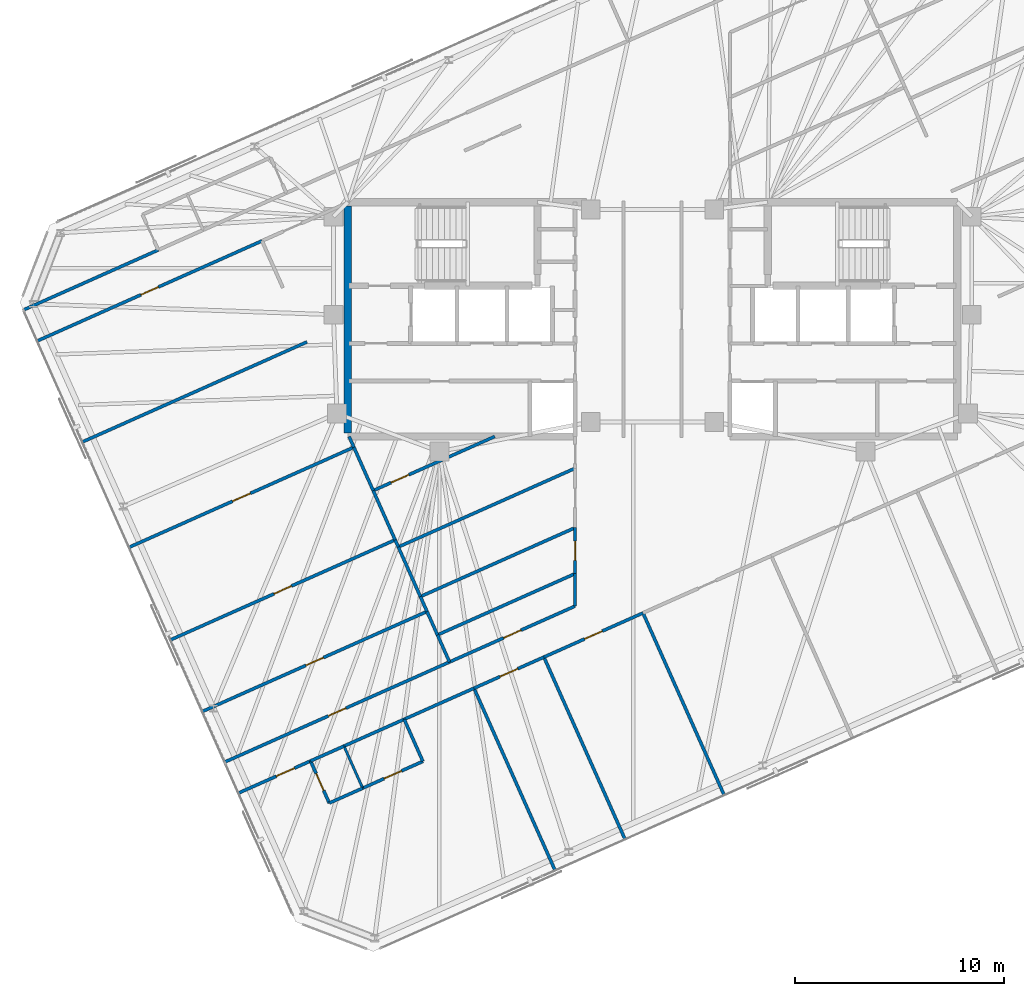
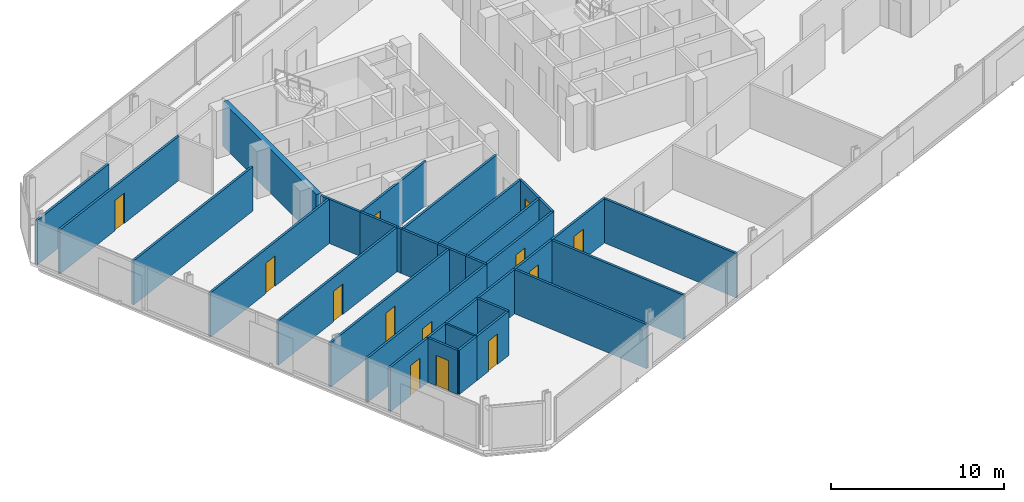
# One storey, part 13 of 19: 37 walls, 13 doors, 13 openings.
"""IFC4 building model written with IfcOpenShell, lengths in metres."""

import ifcopenshell
import ifcopenshell.guid

model = None  # the IFC model being written
_history = None  # IfcOwnerHistory: only IFC2X3 demands one
_inside = {}  # id of a spatial element -> (the spatial element, [elements in it])
_under = {}  # id of a project, library or spatial element -> (it, [spatial elements below it])
_declared = {}  # id of a project -> (the project, [libraries it declares])
_typed = {}  # id of a type object -> (the type object, [elements of that type])
_made_of = {}  # id of a material, layer set ... -> (it, [elements and type objects made of it])


def new_model(schema):
    """Start an empty IFC model of exactly this schema.

    Asked for "IFC4X3", IfcOpenShell would pick the latest addendum, in which some entities
    have other attributes; the version numbers below select the first issue.
    IFC2X3 requires an IfcOwnerHistory on every rooted entity: one is made here for all.
    """
    global model, _history
    if schema == "IFC4X3":
        model = ifcopenshell.file(schema_version=(4, 3, 0, 0))
    else:
        model = ifcopenshell.file(schema=schema)
    _inside.clear()
    _under.clear()
    _declared.clear()
    _typed.clear()
    _made_of.clear()
    _history = None
    if model.schema == "IFC2X3":
        org = make("IfcOrganization", Name="unknown")
        user = make(
            "IfcPersonAndOrganization",
            ThePerson=make("IfcPerson", FamilyName="unknown"),
            TheOrganization=org,
        )
        app = make(
            "IfcApplication",
            ApplicationDeveloper=org,
            Version="unknown",
            ApplicationFullName="unknown",
            ApplicationIdentifier="unknown",
        )
        _history = make(
            "IfcOwnerHistory",
            OwningUser=user,
            OwningApplication=app,
            ChangeAction="ADDED",
            CreationDate=0,
        )
    return model


def make(cls, **values):
    """One entity of the class cls with the attributes given. An attribute that is None is left unset."""
    return model.create_entity(
        cls, **{name: value for name, value in values.items() if value is not None}
    )


def rooted(cls, **values):
    """An entity with a GlobalId (a new one), such as an element, a storey or a relation."""
    return make(cls, GlobalId=ifcopenshell.guid.new(), OwnerHistory=_history, **values)


def si_unit(unit_type, name, prefix=None):
    """IfcSIUnit, for example si_unit("LENGTHUNIT", "METRE", prefix="MILLI")."""
    return make("IfcSIUnit", UnitType=unit_type, Prefix=prefix, Name=name)


def assignment(units):
    """IfcUnitAssignment: the units of a project."""
    return None if units is None else make("IfcUnitAssignment", Units=units)


def point(xyz):
    """IfcCartesianPoint."""
    return None if xyz is None else make("IfcCartesianPoint", Coordinates=xyz)


def direction(xyz):
    """IfcDirection."""
    return None if xyz is None else make("IfcDirection", DirectionRatios=xyz)


def frame(location, z_axis=None, x_axis=None):
    """IfcAxis2Placement3D, a coordinate frame: its origin and axes. An axis left out is left unset."""
    return make(
        "IfcAxis2Placement3D",
        Location=point(location),
        Axis=direction(z_axis),
        RefDirection=direction(x_axis),
    )


def frame_2d(location, x_axis=None):
    """IfcAxis2Placement2D, a coordinate frame in the plane: its origin and x axis."""
    return make(
        "IfcAxis2Placement2D", Location=point(location), RefDirection=direction(x_axis)
    )


def origin():
    """The frame at (0, 0, 0) with its axes left unset."""
    return frame((0.0, 0.0, 0.0))


def place(relative_to, where):
    """IfcLocalPlacement: puts the frame where relative to a parent placement (None: the world)."""
    return make(
        "IfcLocalPlacement", PlacementRelTo=relative_to, RelativePlacement=where
    )


def context(
    kind, dimensions, precision=None, world=None, true_north=None, identifier=None
):
    """IfcGeometricRepresentationContext, for example the 3D "Model" context."""
    return make(
        "IfcGeometricRepresentationContext",
        ContextIdentifier=identifier,
        ContextType=kind,
        CoordinateSpaceDimension=dimensions,
        Precision=precision,
        WorldCoordinateSystem=world,
        TrueNorth=true_north,
    )


def subcontext(parent, identifier, kind, view, scale=None):
    """IfcGeometricRepresentationSubContext, for example "Body" below "Model"."""
    return make(
        "IfcGeometricRepresentationSubContext",
        ContextIdentifier=identifier,
        ContextType=kind,
        ParentContext=parent,
        TargetScale=scale,
        TargetView=view,
    )


def project(units=None, contexts=None):
    """IfcProject with its units and contexts."""
    return rooted(
        "IfcProject",
        Name="project",
        RepresentationContexts=contexts,
        UnitsInContext=assignment(units),
    )


def spatial(cls, under=None, at=None, **own):
    """A site, building, storey or space (cls), placed at a placement, below another one or the project."""
    s = rooted(cls, ObjectPlacement=at, **own)
    if under is not None:
        _under.setdefault(under.id(), (under, []))[1].append(s)
    return s


def profile(cls, at=None, kind="AREA", **sizes):
    """A parametric profile (cls). Its sizes go by their IFC names, for example OverallWidth=200.0."""
    return make(cls, ProfileType=kind, Position=at, **sizes)


def rectangle(**sizes):
    """IfcRectangleProfileDef."""
    return profile("IfcRectangleProfileDef", **sizes)


def extrude(swept, where, along, depth):
    """IfcExtrudedAreaSolid: the profile swept, set in the frame where, extruded along a direction by depth."""
    return make(
        "IfcExtrudedAreaSolid",
        SweptArea=swept,
        Position=where,
        ExtrudedDirection=direction(along),
        Depth=depth,
    )


def shape(context_of_items, identifier, shape_type, items):
    """IfcShapeRepresentation: the items that make up one representation, for example the "Body"."""
    return make(
        "IfcShapeRepresentation",
        ContextOfItems=context_of_items,
        RepresentationIdentifier=identifier,
        RepresentationType=shape_type,
        Items=items,
    )


def material(Name=None, Category=None):
    """IfcMaterial."""
    return make("IfcMaterial", Name=Name, Category=Category)


def layer(
    of_material, thickness, ventilated=None, Name=None, Category=None, Priority=None
):
    """IfcMaterialLayer: one layer of a wall or slab, of a material (None: an air gap)."""
    return make(
        "IfcMaterialLayer",
        Material=of_material,
        LayerThickness=thickness,
        IsVentilated=ventilated,
        Name=Name,
        Category=Category,
        Priority=Priority,
    )


def layer_set(layers, Name=None):
    """IfcMaterialLayerSet."""
    return make("IfcMaterialLayerSet", MaterialLayers=layers, LayerSetName=Name)


def made_of(thing, what):
    """Note that an element or type object is made of a material, layer set ...; save() writes the relation."""
    if what is not None:
        _made_of.setdefault(what.id(), (what, []))[1].append(thing)
    return thing


def type_object(cls, material=None, **own):
    """A type object (cls), such as IfcWallType, which elements share."""
    return made_of(rooted(cls, **own), material)


def element(
    cls,
    number,
    at=None,
    inside=None,
    cuts=None,
    type_object=None,
    material=None,
    context=None,
    identifier="Body",
    shape_type=None,
    held_by="IfcProductDefinitionShape",
    body=None,
    shapes=None,
    **own,
):
    """One element of the class cls, such as IfcWall. Its Tag is "e" and its number.

    at: its placement. inside: the storey or other place that contains it. cuts: it is an
    opening in that element (IfcRelVoidsElement). A single representation is given by context,
    identifier, shape_type and body (its items); several are given by shapes. held_by: the class
    of the entity that holds the representations. save() writes the other relations.
    """
    e = rooted(cls, Tag="e%d" % number, ObjectPlacement=at, **own)
    if body is not None:
        shapes = [shape(context, identifier, shape_type, body)]
    if shapes is not None:
        e.Representation = make(held_by, Representations=shapes)
    if inside is not None:
        _inside.setdefault(inside.id(), (inside, []))[1].append(e)
    if cuts is not None:
        rooted(
            "IfcRelVoidsElement", RelatingBuildingElement=cuts, RelatedOpeningElement=e
        )
    if type_object is not None:
        _typed.setdefault(type_object.id(), (type_object, []))[1].append(e)
    return made_of(e, material)


def fill(opening, filler):
    """IfcRelFillsElement: the door or window that sits in an opening."""
    return rooted(
        "IfcRelFillsElement",
        RelatingOpeningElement=opening,
        RelatedBuildingElement=filler,
    )


def aggregate(whole, parts):
    """IfcRelAggregates: a whole, such as a stair, and the parts it consists of."""
    return rooted("IfcRelAggregates", RelatingObject=whole, RelatedObjects=parts)


def save(model, path):
    """Write the relations noted so far, then the file.

    IfcRelAggregates (storeys below a building ...), IfcRelContainedInSpatialStructure (elements
    in a storey), IfcRelDefinesByType, IfcRelAssociatesMaterial and IfcRelDeclares: one each for
    every whole, place, type object, material and project.
    """
    for whole, parts in _under.values():
        aggregate(whole, parts)
    for where, things in _inside.values():
        rooted(
            "IfcRelContainedInSpatialStructure",
            RelatedElements=things,
            RelatingStructure=where,
        )
    for kind, things in _typed.values():
        rooted("IfcRelDefinesByType", RelatedObjects=things, RelatingType=kind)
    for what, things in _made_of.values():
        rooted("IfcRelAssociatesMaterial", RelatedObjects=things, RelatingMaterial=what)
    for by, libraries in _declared.values():
        rooted("IfcRelDeclares", RelatingContext=by, RelatedDefinitions=libraries)
    model.write(path)


model = new_model("IFC4")

# Units and contexts
model_context = context("Model", 3, precision=1e-05, world=origin(), true_north=direction((0.0, 1.0)))
body_context = subcontext(model_context, "Body", "Model", "MODEL_VIEW")
ifc_project = project(units=[si_unit("LENGTHUNIT", "METRE"), si_unit("AREAUNIT", "SQUARE_METRE"), si_unit("VOLUMEUNIT", "CUBIC_METRE"), si_unit("PLANEANGLEUNIT", "RADIAN"), si_unit("MASSUNIT", "GRAM", prefix="KILO")], contexts=[model_context])

# Site, building, storey
site_placement = place(None, origin())
site = spatial("IfcSite", under=ifc_project, at=site_placement, CompositionType="ELEMENT")
building_placement = place(site_placement, origin())
building = spatial("IfcBuilding", under=site, at=building_placement, Name="Menara Jurai Vektor", CompositionType="ELEMENT")
storey_placement = place(building_placement, frame((0.0, 0.0, 288.60009765625)))
storey = spatial("IfcBuildingStorey", under=building, at=storey_placement, Name="L77", CompositionType="ELEMENT", Elevation=288.60009765625)

# Wall
ifc_material_1 = material(Name="Gypsum Fireboard Partition", Category="gypsum")
ifc_layer_1 = layer(ifc_material_1, 0.14990234375)
ifc_layer_set_1 = layer_set([ifc_layer_1], Name="Gypsum Fireboard Partition")
wall_type_1 = type_object("IfcWallType", Name="INT-WALL-CORR-150", PredefinedType="PARTITIONING", material=ifc_layer_set_1)
wall_1_placement = place(storey_placement, frame((-30.063232421875, 0.44384765625, 0.0), z_axis=(0.0, 0.0, 1.0), x_axis=(0.91354584652, 0.406735769642, 0.0)))
element("IfcWall", 1, at=wall_1_placement, inside=storey, type_object=wall_type_1, Name="Interior Wall IW-150 L77", PredefinedType="PARTITIONING", context=body_context, shape_type="SweptSolid", body=[
    extrude(rectangle(XDim=7.052978515625, YDim=0.14990234375, at=frame_2d((3.5263671875, 0.0))), origin(), (0.0, 0.0, 1.0), 3.125),
])

# Wall, opening, door
wall_2_placement = place(storey_placement, frame((-19.786376953125, -22.638671875, 0.0), z_axis=(0.0, 0.0, 1.0), x_axis=(0.913541633228, 0.406745232743, 0.0)))
wall_2 = element("IfcWall", 2, at=wall_2_placement, inside=storey, type_object=wall_type_1, Name="Interior Wall IW-150 L77", PredefinedType="PARTITIONING", context=body_context, shape_type="SweptSolid", body=[
    extrude(rectangle(XDim=3.77001953125, YDim=0.14990234375, at=frame_2d((1.885009765625, 0.0))), origin(), (0.0, 0.0, 1.0), 3.125),
])
opening_1_placement = place(wall_2_placement, frame((1.9755859375, 0.0, 0.0)))
opening_1 = element("IfcOpeningElement", 3, at=opening_1_placement, cuts=wall_2, Name="Opening D77-16", PredefinedType="OPENING", context=body_context, shape_type="SweptSolid", body=[
    extrude(rectangle(XDim=0.949951171875, YDim=2.14990234375, at=frame_2d((0.47509765625, 1.074951171875))), frame((0.0, 0.0849609375, 0.0), z_axis=(0.0, -1.0, 0.0), x_axis=(1.0, 0.0, 0.0)), (0.0, 0.0, 1.0), 0.169921875),
])
ifc_material_2 = material(Name="Solid Core Timber Fire Door", Category="wood")
door_type_1 = type_object("IfcDoorType", Name="DR-ENTRY-950", OperationType="NOTDEFINED", PredefinedType="DOOR", material=ifc_material_2)
door_1_placement = place(opening_1_placement, origin())
door_1 = element("IfcDoor", 4, at=door_1_placement, inside=storey, type_object=door_type_1, Name="Interior Door D77-16", OperationType="SINGLE_SWING_RIGHT", OverallHeight=2.14990234375, OverallWidth=0.949951171875, PredefinedType="DOOR", context=body_context, shape_type="SweptSolid", body=[
    extrude(rectangle(XDim=0.949951171875, YDim=2.14990234375, at=frame_2d((0.47509765625, 1.074951171875))), frame((0.0, 0.02490234375, 0.0), z_axis=(0.0, -1.0, 0.0), x_axis=(1.0, 0.0, 0.0)), (0.0, 0.0, 1.0), 0.050048828125),
])
fill(opening_1, door_1)

# Walls
wall_3_placement = place(storey_placement, frame((-11.86767578125, -19.113037109375, 0.0), z_axis=(0.0, 0.0, 1.0), x_axis=(0.913543802, 0.40674036169, 0.0)))
element("IfcWall", 5, at=wall_3_placement, inside=storey, type_object=wall_type_1, Name="Interior Wall IW-150 L77", PredefinedType="PARTITIONING", context=body_context, shape_type="SweptSolid", body=[
    extrude(rectangle(XDim=3.650146484375, YDim=0.14990234375, at=frame_2d((1.8251953125, 0.0))), origin(), (0.0, 0.0, 1.0), 3.125),
])
wall_4_placement = place(storey_placement, frame((-16.34228515625, -21.105224609375, 0.0), z_axis=(0.0, 0.0, 1.0), x_axis=(0.9135579554, 0.406708571492, 0.0)))
element("IfcWall", 6, at=wall_4_placement, inside=storey, type_object=wall_type_1, Name="Interior Wall IW-150 L77", PredefinedType="PARTITIONING", context=body_context, shape_type="SweptSolid", body=[
    extrude(rectangle(XDim=1.748046875, YDim=0.14990234375, at=frame_2d((0.8740234375, 0.0))), origin(), (0.0, 0.0, 1.0), 3.125),
])
wall_5_placement = place(storey_placement, frame((-14.745361328125, -20.394287109375, 0.0), z_axis=(0.0, 0.0, 1.0), x_axis=(0.913542880558, 0.406742431252, 0.0)))
element("IfcWall", 7, at=wall_5_placement, inside=storey, type_object=wall_type_1, Name="Interior Wall IW-150 L77", PredefinedType="PARTITIONING", context=body_context, shape_type="SweptSolid", body=[
    extrude(rectangle(XDim=3.150146484375, YDim=0.14990234375, at=frame_2d((1.5751953125, 0.0))), origin(), (0.0, 0.0, 1.0), 3.125),
])

# Wall, opening, door
wall_6_placement = place(storey_placement, frame((-20.4453125, -21.15869140625, 0.0), z_axis=(0.0, 0.0, 1.0), x_axis=(0.913547681516, 0.406731648137, 0.0)))
wall_6 = element("IfcWall", 8, at=wall_6_placement, inside=storey, type_object=wall_type_1, Name="Interior Wall IW-150 L77", PredefinedType="PARTITIONING", context=body_context, shape_type="SweptSolid", body=[
    extrude(rectangle(XDim=11.760009765625, YDim=0.14990234375, at=frame_2d((5.8798828125, 0.0))), origin(), (0.0, 0.0, 1.0), 3.125),
])
opening_2_placement = place(wall_6_placement, frame((5.419921875, 0.0, 0.0)))
opening_2 = element("IfcOpeningElement", 9, at=opening_2_placement, cuts=wall_6, Name="Opening D77-22", PredefinedType="OPENING", context=body_context, shape_type="SweptSolid", body=[
    extrude(rectangle(XDim=0.919921875, YDim=2.14990234375, at=frame_2d((0.4599609375, 1.074951171875))), frame((0.0, 0.0849609375, 0.0), z_axis=(0.0, -1.0, 0.0), x_axis=(1.0, 0.0, 0.0)), (0.0, 0.0, 1.0), 0.169921875),
])
door_2_placement = place(opening_2_placement, origin())
door_2 = element("IfcDoor", 10, at=door_2_placement, inside=storey, type_object=door_type_1, Name="Interior Door D77-22", OperationType="SINGLE_SWING_RIGHT", OverallHeight=2.14990234375, OverallWidth=0.919921875, PredefinedType="DOOR", context=body_context, shape_type="SweptSolid", body=[
    extrude(rectangle(XDim=0.919921875, YDim=2.14990234375, at=frame_2d((0.4599609375, 1.074951171875))), frame((0.0, 0.02490234375, 0.0), z_axis=(0.0, -1.0, 0.0), x_axis=(1.0, 0.0, 0.0)), (0.0, 0.0, 1.0), 0.050048828125),
])
fill(opening_2, door_2)

wall_7_placement = place(storey_placement, frame((-29.404296875, -1.0361328125, 0.0), z_axis=(0.0, 0.0, 1.0), x_axis=(0.913544247064, 0.406739362069, 0.0)))
wall_7 = element("IfcWall", 11, at=wall_7_placement, inside=storey, type_object=wall_type_1, Name="Interior Wall IW-150 L77", PredefinedType="PARTITIONING", context=body_context, shape_type="SweptSolid", body=[
    extrude(rectangle(XDim=11.759765625, YDim=0.14990234375, at=frame_2d((5.8798828125, 0.0))), origin(), (0.0, 0.0, 1.0), 3.125),
])
opening_3_placement = place(wall_7_placement, frame((5.419921875, 0.0, 0.0)))
opening_3 = element("IfcOpeningElement", 12, at=opening_3_placement, cuts=wall_7, Name="Opening D77-26", PredefinedType="OPENING", context=body_context, shape_type="SweptSolid", body=[
    extrude(rectangle(XDim=0.919921875, YDim=2.14990234375, at=frame_2d((0.4599609375, 1.074951171875))), frame((0.0, 0.0849609375, 0.0), z_axis=(0.0, -1.0, 0.0), x_axis=(1.0, 0.0, 0.0)), (0.0, 0.0, 1.0), 0.169921875),
])
door_3_placement = place(opening_3_placement, origin())
door_3 = element("IfcDoor", 13, at=door_3_placement, inside=storey, type_object=door_type_1, Name="Interior Door D77-26", OperationType="SINGLE_SWING_RIGHT", OverallHeight=2.14990234375, OverallWidth=0.919921875, PredefinedType="DOOR", context=body_context, shape_type="SweptSolid", body=[
    extrude(rectangle(XDim=0.919921875, YDim=2.14990234375, at=frame_2d((0.4599609375, 1.074951171875))), frame((0.0, 0.02490234375, 0.0), z_axis=(0.0, -1.0, 0.0), x_axis=(1.0, 0.0, 0.0)), (0.0, 0.0, 1.0), 0.050048828125),
])
fill(opening_3, door_3)

wall_8_placement = place(storey_placement, frame((-8.533203125, -17.62841796875, 0.0), z_axis=(0.0, 0.0, 1.0), x_axis=(0.913560976273, 0.406701785873, 0.0)))
wall_8 = element("IfcWall", 14, at=wall_8_placement, inside=storey, type_object=wall_type_1, Name="Interior Wall IW-150 L77", PredefinedType="PARTITIONING", context=body_context, shape_type="SweptSolid", body=[
    extrude(rectangle(XDim=3.65869140625, YDim=0.14990234375, at=frame_2d((1.829345703125, 0.0))), origin(), (0.0, 0.0, 1.0), 3.125),
])
opening_4_placement = place(wall_8_placement, frame((1.369384765625, 0.0, 0.0)))
opening_4 = element("IfcOpeningElement", 15, at=opening_4_placement, cuts=wall_8, Name="Opening D77-27", PredefinedType="OPENING", context=body_context, shape_type="SweptSolid", body=[
    extrude(rectangle(XDim=0.919921875, YDim=2.14990234375, at=frame_2d((0.4599609375, 1.074951171875))), frame((0.0, 0.0849609375, 0.0), z_axis=(0.0, -1.0, 0.0), x_axis=(1.0, 0.0, 0.0)), (0.0, 0.0, 1.0), 0.169921875),
])
door_4_placement = place(opening_4_placement, origin())
door_4 = element("IfcDoor", 16, at=door_4_placement, inside=storey, type_object=door_type_1, Name="Interior Door D77-27", OperationType="SINGLE_SWING_LEFT", OverallHeight=2.14990234375, OverallWidth=0.919921875, PredefinedType="DOOR", context=body_context, shape_type="SweptSolid", body=[
    extrude(rectangle(XDim=0.919921875, YDim=2.14990234375, at=frame_2d((0.4599609375, 1.074951171875))), frame((0.0, 0.02490234375, 0.0), z_axis=(0.0, -1.0, 0.0), x_axis=(1.0, 0.0, 0.0)), (0.0, 0.0, 1.0), 0.050048828125),
])
fill(opening_4, door_4)

wall_9_placement = place(storey_placement, frame((-5.190673828125, -16.140380859375, 0.0), z_axis=(0.0, 0.0, 1.0), x_axis=(0.913541346619, 0.40674587646, 0.0)))
wall_9 = element("IfcWall", 17, at=wall_9_placement, inside=storey, type_object=wall_type_1, Name="Interior Wall IW-150 L77", PredefinedType="PARTITIONING", context=body_context, shape_type="SweptSolid", body=[
    extrude(rectangle(XDim=5.182861328125, YDim=0.14990234375, at=frame_2d((2.59130859375, 0.0))), origin(), (0.0, 0.0, 1.0), 3.125),
])
opening_5_placement = place(wall_9_placement, frame((2.131591796875, 0.0, 0.0)))
opening_5 = element("IfcOpeningElement", 18, at=opening_5_placement, cuts=wall_9, Name="Opening D77-28", PredefinedType="OPENING", context=body_context, shape_type="SweptSolid", body=[
    extrude(rectangle(XDim=0.919921875, YDim=2.14990234375, at=frame_2d((0.4599609375, 1.074951171875))), frame((0.0, 0.0849609375, 0.0), z_axis=(0.0, -1.0, 0.0), x_axis=(1.0, 0.0, 0.0)), (0.0, 0.0, 1.0), 0.169921875),
])
door_5_placement = place(opening_5_placement, origin())
door_5 = element("IfcDoor", 19, at=door_5_placement, inside=storey, type_object=door_type_1, Name="Interior Door D77-28", OperationType="SINGLE_SWING_RIGHT", OverallHeight=2.14990234375, OverallWidth=0.919921875, PredefinedType="DOOR", context=body_context, shape_type="SweptSolid", body=[
    extrude(rectangle(XDim=0.919921875, YDim=2.14990234375, at=frame_2d((0.4599609375, 1.074951171875))), frame((0.0, 0.02490234375, 0.0), z_axis=(0.0, -1.0, 0.0), x_axis=(1.0, 0.0, 0.0)), (0.0, 0.0, 1.0), 0.050048828125),
])
fill(opening_5, door_5)

wall_10_placement = place(storey_placement, frame((-9.701904296875, -16.37548828125, 0.0), z_axis=(0.0, 0.0, 1.0), x_axis=(0.913552389019, 0.406721074594, 0.0)))
wall_10 = element("IfcWall", 20, at=wall_10_placement, inside=storey, type_object=wall_type_1, Name="Interior Wall IW-150 L77", PredefinedType="PARTITIONING", context=body_context, shape_type="SweptSolid", body=[
    extrude(rectangle(XDim=6.56982421875, YDim=0.14990234375, at=frame_2d((3.284912109375, 0.0))), origin(), (0.0, 0.0, 1.0), 3.125),
])
opening_6_placement = place(wall_10_placement, frame((2.824951171875, 0.0, 0.0)))
opening_6 = element("IfcOpeningElement", 21, at=opening_6_placement, cuts=wall_10, Name="Opening D77-32", PredefinedType="OPENING", context=body_context, shape_type="SweptSolid", body=[
    extrude(rectangle(XDim=0.919921875, YDim=2.14990234375, at=frame_2d((0.4599609375, 1.074951171875))), frame((0.0, 0.0849609375, 0.0), z_axis=(0.0, -1.0, 0.0), x_axis=(1.0, 0.0, 0.0)), (0.0, 0.0, 1.0), 0.169921875),
])
door_6_placement = place(opening_6_placement, origin())
door_6 = element("IfcDoor", 22, at=door_6_placement, inside=storey, type_object=door_type_1, Name="Interior Door D77-32", OperationType="SINGLE_SWING_RIGHT", OverallHeight=2.14990234375, OverallWidth=0.919921875, PredefinedType="DOOR", context=body_context, shape_type="SweptSolid", body=[
    extrude(rectangle(XDim=0.919921875, YDim=2.14990234375, at=frame_2d((0.4599609375, 1.074951171875))), frame((0.0, 0.02490234375, 0.0), z_axis=(0.0, -1.0, 0.0), x_axis=(1.0, 0.0, 0.0)), (0.0, 0.0, 1.0), 0.050048828125),
])
fill(opening_6, door_6)

# Wall
wall_11_placement = place(storey_placement, frame((-3.699951171875, -13.703369140625, 0.0), z_axis=(0.0, 0.0, 1.0), x_axis=(-0.000157529929, 0.999999987592, 0.0)))
element("IfcWall", 23, at=wall_11_placement, inside=storey, type_object=wall_type_1, Name="Interior Wall IW-150 L77", PredefinedType="PARTITIONING", context=body_context, shape_type="SweptSolid", body=[
    extrude(rectangle(XDim=1.5498046875, YDim=0.14990234375, at=frame_2d((0.77490234375, 0.0))), origin(), (0.0, 0.0, 1.0), 3.125),
])

# Wall, opening, door
wall_12_placement = place(storey_placement, frame((-3.7001953125, -12.153564453125, 0.0), z_axis=(0.0, 0.0, 1.0), x_axis=(0.000111222333, 0.999999993815, 0.0)))
wall_12 = element("IfcWall", 24, at=wall_12_placement, inside=storey, type_object=wall_type_1, Name="Interior Wall IW-150 L77", PredefinedType="PARTITIONING", context=body_context, shape_type="SweptSolid", body=[
    extrude(rectangle(XDim=2.195068359375, YDim=0.14990234375, at=frame_2d((1.09765625, 0.0))), origin(), (0.0, 0.0, 1.0), 3.125),
])
opening_7_placement = place(wall_12_placement, frame((0.637451171875, 0.0, 0.0)))
opening_7 = element("IfcOpeningElement", 25, at=opening_7_placement, cuts=wall_12, Name="Opening D77-33", PredefinedType="OPENING", context=body_context, shape_type="SweptSolid", body=[
    extrude(rectangle(XDim=0.919921875, YDim=2.14990234375, at=frame_2d((0.4599609375, 1.074951171875))), frame((0.0, 0.0849609375, 0.0), z_axis=(0.0, -1.0, 0.0), x_axis=(1.0, 0.0, 0.0)), (0.0, 0.0, 1.0), 0.169921875),
])
door_7_placement = place(opening_7_placement, origin())
door_7 = element("IfcDoor", 26, at=door_7_placement, inside=storey, type_object=door_type_1, Name="Interior Door D77-33", OperationType="SINGLE_SWING_LEFT", OverallHeight=2.14990234375, OverallWidth=0.919921875, PredefinedType="DOOR", context=body_context, shape_type="SweptSolid", body=[
    extrude(rectangle(XDim=0.919921875, YDim=2.14990234375, at=frame_2d((0.4599609375, 1.074951171875))), frame((0.0, 0.02490234375, 0.0), z_axis=(0.0, -1.0, 0.0), x_axis=(1.0, 0.0, 0.0)), (0.0, 0.0, 1.0), 0.050048828125),
])
fill(opening_7, door_7)

wall_13_placement = place(storey_placement, frame((-15.447509765625, -23.114990234375, 0.0), z_axis=(0.0, 0.0, 1.0), x_axis=(-0.406725294076, 0.913550510459, 0.0)))
wall_13 = element("IfcWall", 27, at=wall_13_placement, inside=storey, type_object=wall_type_1, Name="Interior Wall IW-150 L77", PredefinedType="PARTITIONING", context=body_context, shape_type="SweptSolid", body=[
    extrude(rectangle(XDim=2.199951171875, YDim=0.14990234375, at=frame_2d((1.10009765625, 0.0))), origin(), (0.0, 0.0, 1.0), 3.125),
])
opening_8_placement = place(wall_13_placement, frame((0.659912109375, 0.0, 0.0)))
opening_8 = element("IfcOpeningElement", 28, at=opening_8_placement, cuts=wall_13, Name="Opening D77-17", PredefinedType="OPENING", context=body_context, shape_type="SweptSolid", body=[
    extrude(rectangle(XDim=0.8798828125, YDim=2.14990234375, at=frame_2d((0.43994140625, 1.074951171875))), frame((0.0, 0.0849609375, 0.0), z_axis=(0.0, -1.0, 0.0), x_axis=(1.0, 0.0, 0.0)), (0.0, 0.0, 1.0), 0.169921875),
])
ifc_material_3 = material(Name="Moisture-Resistant Timber Door", Category="wood")
door_type_2 = type_object("IfcDoorType", Name="DR-BATH-880", OperationType="NOTDEFINED", PredefinedType="DOOR", material=ifc_material_3)
door_8_placement = place(opening_8_placement, origin())
door_8 = element("IfcDoor", 29, at=door_8_placement, inside=storey, type_object=door_type_2, Name="Interior Door D77-17", OperationType="SINGLE_SWING_LEFT", OverallHeight=2.14990234375, OverallWidth=0.8798828125, PredefinedType="DOOR", context=body_context, shape_type="SweptSolid", body=[
    extrude(rectangle(XDim=0.8798828125, YDim=2.14990234375, at=frame_2d((0.43994140625, 1.074951171875))), frame((0.0, 0.02490234375, 0.0), z_axis=(0.0, -1.0, 0.0), x_axis=(1.0, 0.0, 0.0)), (0.0, 0.0, 1.0), 0.050048828125),
])
fill(opening_8, door_8)

# Wall
wall_14_placement = place(storey_placement, frame((-15.447509765625, -23.114990234375, 0.0), z_axis=(0.0, 0.0, 1.0), x_axis=(0.9135579554, 0.406708571492, 0.0)))
element("IfcWall", 30, at=wall_14_placement, inside=storey, type_object=wall_type_1, Name="Interior Wall IW-150 L77", PredefinedType="PARTITIONING", context=body_context, shape_type="SweptSolid", body=[
    extrude(rectangle(XDim=1.748046875, YDim=0.14990234375, at=frame_2d((0.8740234375, 0.0))), origin(), (0.0, 0.0, 1.0), 3.125),
])

# Wall, opening, door
wall_15_placement = place(storey_placement, frame((-13.8505859375, -22.404052734375, 0.0), z_axis=(0.0, 0.0, 1.0), x_axis=(0.913542880558, 0.406742431252, 0.0)))
wall_15 = element("IfcWall", 31, at=wall_15_placement, inside=storey, type_object=wall_type_1, Name="Interior Wall IW-150 L77", PredefinedType="PARTITIONING", context=body_context, shape_type="SweptSolid", body=[
    extrude(rectangle(XDim=3.150146484375, YDim=0.14990234375, at=frame_2d((1.5751953125, 0.0))), origin(), (0.0, 0.0, 1.0), 3.125),
])
opening_9_placement = place(wall_15_placement, frame((1.125, 0.0, 0.0)))
opening_9 = element("IfcOpeningElement", 32, at=opening_9_placement, cuts=wall_15, Name="Opening D77-18", PredefinedType="OPENING", context=body_context, shape_type="SweptSolid", body=[
    extrude(rectangle(XDim=0.89990234375, YDim=2.14990234375, at=frame_2d((0.449951171875, 1.074951171875))), frame((0.0, 0.0849609375, 0.0), z_axis=(0.0, -1.0, 0.0), x_axis=(1.0, 0.0, 0.0)), (0.0, 0.0, 1.0), 0.169921875),
])
ifc_material_4 = material(Name="Acoustic Timber Interior Door", Category="wood")
door_type_3 = type_object("IfcDoorType", Name="DR-ROOM-900", OperationType="NOTDEFINED", PredefinedType="DOOR", material=ifc_material_4)
door_9_placement = place(opening_9_placement, origin())
door_9 = element("IfcDoor", 33, at=door_9_placement, inside=storey, type_object=door_type_3, Name="Interior Door D77-18", OperationType="SINGLE_SWING_RIGHT", OverallHeight=2.14990234375, OverallWidth=0.89990234375, PredefinedType="DOOR", context=body_context, shape_type="SweptSolid", body=[
    extrude(rectangle(XDim=0.89990234375, YDim=2.14990234375, at=frame_2d((0.449951171875, 1.074951171875))), frame((0.0, 0.02490234375, 0.0), z_axis=(0.0, -1.0, 0.0), x_axis=(1.0, 0.0, 0.0)), (0.0, 0.0, 1.0), 0.050048828125),
])
fill(opening_9, door_9)

# Walls
wall_16_placement = place(storey_placement, frame((-10.972900390625, -21.122802734375, 0.0), z_axis=(0.0, 0.0, 1.0), x_axis=(-0.406725294076, 0.913550510459, 0.0)))
element("IfcWall", 34, at=wall_16_placement, inside=storey, type_object=wall_type_1, Name="Interior Wall IW-150 L77", PredefinedType="PARTITIONING", context=body_context, shape_type="SweptSolid", body=[
    extrude(rectangle(XDim=2.199951171875, YDim=0.14990234375, at=frame_2d((1.10009765625, 0.0))), origin(), (0.0, 0.0, 1.0), 3.125),
])
wall_17_placement = place(storey_placement, frame((-4.655029296875, -26.339111328125, 0.0), z_axis=(0.0, 0.0, 1.0), x_axis=(-0.406729927653, 0.913548447512, 0.0)))
element("IfcWall", 35, at=wall_17_placement, inside=storey, type_object=wall_type_1, Name="Interior Wall IW-150 L77", PredefinedType="PARTITIONING", context=body_context, shape_type="SweptSolid", body=[
    extrude(rectangle(XDim=9.534912109375, YDim=0.14990234375, at=frame_2d((4.767578125, 0.0))), origin(), (0.0, 0.0, 1.0), 3.125),
])

# Wall, opening, door
wall_18_placement = place(storey_placement, frame((-21.520263671875, -18.744384765625, 0.0), z_axis=(0.0, 0.0, 1.0), x_axis=(0.913539967617, 0.406748973651, 0.0)))
wall_18 = element("IfcWall", 36, at=wall_18_placement, inside=storey, type_object=wall_type_1, Name="Interior Wall IW-150 L77", PredefinedType="PARTITIONING", context=body_context, shape_type="SweptSolid", body=[
    extrude(rectangle(XDim=11.76025390625, YDim=0.14990234375, at=frame_2d((5.880126953125, 0.0))), origin(), (0.0, 0.0, 1.0), 3.125),
])
opening_10_placement = place(wall_18_placement, frame((5.419921875, 0.0, 0.0)))
opening_10 = element("IfcOpeningElement", 37, at=opening_10_placement, cuts=wall_18, Name="Opening D77-23", PredefinedType="OPENING", context=body_context, shape_type="SweptSolid", body=[
    extrude(rectangle(XDim=0.919921875, YDim=2.14990234375, at=frame_2d((0.4599609375, 1.074951171875))), frame((0.0, 0.0849609375, 0.0), z_axis=(0.0, -1.0, 0.0), x_axis=(1.0, 0.0, 0.0)), (0.0, 0.0, 1.0), 0.169921875),
])
door_10_placement = place(opening_10_placement, origin())
door_10 = element("IfcDoor", 38, at=door_10_placement, inside=storey, type_object=door_type_1, Name="Interior Door D77-23", OperationType="SINGLE_SWING_LEFT", OverallHeight=2.14990234375, OverallWidth=0.919921875, PredefinedType="DOOR", context=body_context, shape_type="SweptSolid", body=[
    extrude(rectangle(XDim=0.919921875, YDim=2.14990234375, at=frame_2d((0.4599609375, 1.074951171875))), frame((0.0, 0.02490234375, 0.0), z_axis=(0.0, -1.0, 0.0), x_axis=(1.0, 0.0, 0.0)), (0.0, 0.0, 1.0), 0.050048828125),
])
fill(opening_10, door_10)

# Walls
wall_19_placement = place(storey_placement, frame((-9.701904296875, -16.37548828125, 0.0), z_axis=(0.0, 0.0, 1.0), x_axis=(-0.406762319034, 0.913534025537, 0.0)))
element("IfcWall", 39, at=wall_19_placement, inside=storey, type_object=wall_type_1, Name="Interior Wall IW-150 L77", PredefinedType="PARTITIONING", context=body_context, shape_type="SweptSolid", body=[
    extrude(rectangle(XDim=1.415771484375, YDim=0.14990234375, at=frame_2d((0.7080078125, 0.0))), origin(), (0.0, 0.0, 1.0), 3.125),
])
wall_20_placement = place(storey_placement, frame((-10.27783203125, -15.08203125, 0.0), z_axis=(0.0, 0.0, 1.0), x_axis=(-0.406655262741, 0.913581686159, 0.0)))
element("IfcWall", 40, at=wall_20_placement, inside=storey, type_object=wall_type_1, Name="Interior Wall IW-150 L77", PredefinedType="PARTITIONING", context=body_context, shape_type="SweptSolid", body=[
    extrude(rectangle(XDim=1.22705078125, YDim=0.14990234375, at=frame_2d((0.613525390625, 0.0))), origin(), (0.0, 0.0, 1.0), 3.125),
])

# Wall, opening, door
wall_21_placement = place(storey_placement, frame((-23.04345703125, -15.322998046875, 0.0), z_axis=(0.0, 0.0, 1.0), x_axis=(0.913547681516, 0.406731648137, 0.0)))
wall_21 = element("IfcWall", 41, at=wall_21_placement, inside=storey, type_object=wall_type_1, Name="Interior Wall IW-150 L77", PredefinedType="PARTITIONING", context=body_context, shape_type="SweptSolid", body=[
    extrude(rectangle(XDim=11.760009765625, YDim=0.14990234375, at=frame_2d((5.8798828125, 0.0))), origin(), (0.0, 0.0, 1.0), 3.125),
])
opening_11_placement = place(wall_21_placement, frame((5.419921875, 0.0, 0.0)))
opening_11 = element("IfcOpeningElement", 42, at=opening_11_placement, cuts=wall_21, Name="Opening D77-24", PredefinedType="OPENING", context=body_context, shape_type="SweptSolid", body=[
    extrude(rectangle(XDim=0.919921875, YDim=2.14990234375, at=frame_2d((0.4599609375, 1.074951171875))), frame((0.0, 0.0849609375, 0.0), z_axis=(0.0, -1.0, 0.0), x_axis=(1.0, 0.0, 0.0)), (0.0, 0.0, 1.0), 0.169921875),
])
door_11_placement = place(opening_11_placement, origin())
door_11 = element("IfcDoor", 43, at=door_11_placement, inside=storey, type_object=door_type_1, Name="Interior Door D77-24", OperationType="SINGLE_SWING_RIGHT", OverallHeight=2.14990234375, OverallWidth=0.919921875, PredefinedType="DOOR", context=body_context, shape_type="SweptSolid", body=[
    extrude(rectangle(XDim=0.919921875, YDim=2.14990234375, at=frame_2d((0.4599609375, 1.074951171875))), frame((0.0, 0.02490234375, 0.0), z_axis=(0.0, -1.0, 0.0), x_axis=(1.0, 0.0, 0.0)), (0.0, 0.0, 1.0), 0.050048828125),
])
fill(opening_11, door_11)

# Walls
wall_22_placement = place(storey_placement, frame((-10.77685546875, -13.9609375, 0.0), z_axis=(0.0, 0.0, 1.0), x_axis=(-0.406720744325, 0.913552536057, 0.0)))
element("IfcWall", 44, at=wall_22_placement, inside=storey, type_object=wall_type_1, Name="Interior Wall IW-150 L77", PredefinedType="PARTITIONING", context=body_context, shape_type="SweptSolid", body=[
    extrude(rectangle(XDim=0.77783203125, YDim=0.14990234375, at=frame_2d((0.388916015625, 0.0))), origin(), (0.0, 0.0, 1.0), 3.125),
])
wall_23_placement = place(storey_placement, frame((-11.09326171875, -13.250244140625, 0.0), z_axis=(0.0, 0.0, 1.0), x_axis=(-0.406723252866, 0.91355141923, 0.0)))
element("IfcWall", 45, at=wall_23_placement, inside=storey, type_object=wall_type_1, Name="Interior Wall IW-150 L77", PredefinedType="PARTITIONING", context=body_context, shape_type="SweptSolid", body=[
    extrude(rectangle(XDim=2.594970703125, YDim=0.14990234375, at=frame_2d((1.29736328125, 0.0))), origin(), (0.0, 0.0, 1.0), 3.125),
])
wall_24_placement = place(storey_placement, frame((-12.148681640625, -10.879638671875, 0.0), z_axis=(0.0, 0.0, 1.0), x_axis=(-0.406868995548, 0.913486519037, 0.0)))
element("IfcWall", 46, at=wall_24_placement, inside=storey, type_object=wall_type_1, Name="Interior Wall IW-150 L77", PredefinedType="PARTITIONING", context=body_context, shape_type="SweptSolid", body=[
    extrude(rectangle(XDim=0.3720703125, YDim=0.14990234375, at=frame_2d((0.18603515625, 0.0))), origin(), (0.0, 0.0, 1.0), 3.125),
])

# Wall, opening, door
wall_25_placement = place(storey_placement, frame((-25.014404296875, -10.89599609375, 0.0), z_axis=(0.0, 0.0, 1.0), x_axis=(0.913544247064, 0.406739362069, 0.0)))
wall_25 = element("IfcWall", 47, at=wall_25_placement, inside=storey, type_object=wall_type_1, Name="Interior Wall IW-150 L77", PredefinedType="PARTITIONING", context=body_context, shape_type="SweptSolid", body=[
    extrude(rectangle(XDim=11.759765625, YDim=0.14990234375, at=frame_2d((5.8798828125, 0.0))), origin(), (0.0, 0.0, 1.0), 3.125),
])
opening_12_placement = place(wall_25_placement, frame((5.419921875, 0.0, 0.0)))
opening_12 = element("IfcOpeningElement", 48, at=opening_12_placement, cuts=wall_25, Name="Opening D77-25", PredefinedType="OPENING", context=body_context, shape_type="SweptSolid", body=[
    extrude(rectangle(XDim=0.919921875, YDim=2.14990234375, at=frame_2d((0.4599609375, 1.074951171875))), frame((0.0, 0.0849609375, 0.0), z_axis=(0.0, -1.0, 0.0), x_axis=(1.0, 0.0, 0.0)), (0.0, 0.0, 1.0), 0.169921875),
])
door_12_placement = place(opening_12_placement, origin())
door_12 = element("IfcDoor", 49, at=door_12_placement, inside=storey, type_object=door_type_1, Name="Interior Door D77-25", OperationType="SINGLE_SWING_LEFT", OverallHeight=2.14990234375, OverallWidth=0.919921875, PredefinedType="DOOR", context=body_context, shape_type="SweptSolid", body=[
    extrude(rectangle(XDim=0.919921875, YDim=2.14990234375, at=frame_2d((0.4599609375, 1.074951171875))), frame((0.0, 0.02490234375, 0.0), z_axis=(0.0, -1.0, 0.0), x_axis=(1.0, 0.0, 0.0)), (0.0, 0.0, 1.0), 0.050048828125),
])
fill(opening_12, door_12)

# Walls
wall_26_placement = place(storey_placement, frame((-12.300048828125, -10.539794921875, 0.0), z_axis=(0.0, 0.0, 1.0), x_axis=(-0.406788806475, 0.913522231216, 0.0)))
element("IfcWall", 50, at=wall_26_placement, inside=storey, type_object=wall_type_1, Name="Interior Wall IW-150 L77", PredefinedType="PARTITIONING", context=body_context, shape_type="SweptSolid", body=[
    extrude(rectangle(XDim=2.5771484375, YDim=0.14990234375, at=frame_2d((1.28857421875, 0.0))), origin(), (0.0, 0.0, 1.0), 3.125),
])
wall_27_placement = place(storey_placement, frame((-13.348388671875, -8.185546875, 0.0), z_axis=(0.0, 0.0, 1.0), x_axis=(-0.40673740295, 0.913545119324, 0.0)))
element("IfcWall", 51, at=wall_27_placement, inside=storey, type_object=wall_type_1, Name="Interior Wall IW-150 L77", PredefinedType="PARTITIONING", context=body_context, shape_type="SweptSolid", body=[
    extrude(rectangle(XDim=2.268798828125, YDim=0.14990234375, at=frame_2d((1.13427734375, 0.0))), origin(), (0.0, 0.0, 1.0), 3.125),
])
wall_28_placement = place(storey_placement, frame((-27.25439453125, -5.864990234375, 0.0), z_axis=(0.0, 0.0, 1.0), x_axis=(0.913547681516, 0.406731648137, 0.0)))
element("IfcWall", 52, at=wall_28_placement, inside=storey, type_object=wall_type_1, Name="Interior Wall IW-150 L77", PredefinedType="PARTITIONING", context=body_context, shape_type="SweptSolid", body=[
    extrude(rectangle(XDim=11.760009765625, YDim=0.14990234375, at=frame_2d((5.8798828125, 0.0))), origin(), (0.0, 0.0, 1.0), 3.125),
])
wall_29_placement = place(storey_placement, frame((-14.271240234375, -6.11279296875, 0.0), z_axis=(0.0, 0.0, 1.0), x_axis=(-0.406622099206, 0.913596447255, 0.0)))
element("IfcWall", 53, at=wall_29_placement, inside=storey, type_object=wall_type_1, Name="Interior Wall IW-150 L77", PredefinedType="PARTITIONING", context=body_context, shape_type="SweptSolid", body=[
    extrude(rectangle(XDim=0.56201171875, YDim=0.14990234375, at=frame_2d((0.281005859375, 0.0))), origin(), (0.0, 0.0, 1.0), 3.125),
])
wall_30_placement = place(storey_placement, frame((-1.312255859375, -24.850830078125, 0.0), z_axis=(0.0, 0.0, 1.0), x_axis=(-0.406760810574, 0.913534697196, 0.0)))
element("IfcWall", 54, at=wall_30_placement, inside=storey, type_object=wall_type_1, Name="Interior Wall IW-150 L77", PredefinedType="PARTITIONING", context=body_context, shape_type="SweptSolid", body=[
    extrude(rectangle(XDim=9.534912109375, YDim=0.14990234375, at=frame_2d((4.767578125, 0.0))), origin(), (0.0, 0.0, 1.0), 3.125),
])
wall_31_placement = place(storey_placement, frame((3.422607421875, -22.742919921875, 0.0), z_axis=(0.0, 0.0, 1.0), x_axis=(-0.406751296215, 0.913538933504, 0.0)))
element("IfcWall", 55, at=wall_31_placement, inside=storey, type_object=wall_type_1, Name="Interior Wall IW-150 L77", PredefinedType="PARTITIONING", context=body_context, shape_type="SweptSolid", body=[
    extrude(rectangle(XDim=9.53515625, YDim=0.14990234375, at=frame_2d((4.767578125, 0.0))), origin(), (0.0, 0.0, 1.0), 3.125),
])
wall_32_placement = place(storey_placement, frame((-10.27783203125, -15.08203125, 0.0), z_axis=(0.0, 0.0, 1.0), x_axis=(0.913549882956, 0.406726703513, 0.0)))
element("IfcWall", 56, at=wall_32_placement, inside=storey, type_object=wall_type_1, Name="Interior Wall IW-150 L77", PredefinedType="PARTITIONING", context=body_context, shape_type="SweptSolid", body=[
    extrude(rectangle(XDim=7.2001953125, YDim=0.14990234375, at=frame_2d((3.60009765625, 0.0))), origin(), (0.0, 0.0, 1.0), 3.125),
])
wall_33_placement = place(storey_placement, frame((-11.09326171875, -13.250244140625, 0.0), z_axis=(0.0, 0.0, 1.0), x_axis=(0.913543891457, 0.406740160767, 0.0)))
element("IfcWall", 57, at=wall_33_placement, inside=storey, type_object=wall_type_1, Name="Interior Wall IW-150 L77", PredefinedType="PARTITIONING", context=body_context, shape_type="SweptSolid", body=[
    extrude(rectangle(XDim=8.093017578125, YDim=0.14990234375, at=frame_2d((4.04638671875, 0.0))), origin(), (0.0, 0.0, 1.0), 3.125),
])
wall_34_placement = place(storey_placement, frame((-12.148681640625, -10.879638671875, 0.0), z_axis=(0.0, 0.0, 1.0), x_axis=(0.913542450291, 0.406743397631, 0.0)))
element("IfcWall", 58, at=wall_34_placement, inside=storey, type_object=wall_type_1, Name="Interior Wall IW-150 L77", PredefinedType="PARTITIONING", context=body_context, shape_type="SweptSolid", body=[
    extrude(rectangle(XDim=9.247802734375, YDim=0.14990234375, at=frame_2d((4.6240234375, 0.0))), origin(), (0.0, 0.0, 1.0), 3.125),
])

# Wall, opening, door
wall_35_placement = place(storey_placement, frame((-13.348388671875, -8.185546875, 0.0), z_axis=(0.0, 0.0, 1.0), x_axis=(0.913551673432, 0.406722681896, 0.0)))
wall_35 = element("IfcWall", 59, at=wall_35_placement, inside=storey, type_object=wall_type_1, Name="Interior Wall IW-150 L77", PredefinedType="PARTITIONING", context=body_context, shape_type="SweptSolid", body=[
    extrude(rectangle(XDim=6.35791015625, YDim=0.14990234375, at=frame_2d((3.178955078125, 0.0))), origin(), (0.0, 0.0, 1.0), 3.125),
])
opening_13_placement = place(wall_35_placement, frame((0.938720703125, 0.0, 0.0)))
opening_13 = element("IfcOpeningElement", 60, at=opening_13_placement, cuts=wall_35, Name="Opening D77-36", PredefinedType="OPENING", context=body_context, shape_type="SweptSolid", body=[
    extrude(rectangle(XDim=0.919921875, YDim=2.14990234375, at=frame_2d((0.4599609375, 1.074951171875))), frame((0.0, 0.0849609375, 0.0), z_axis=(0.0, -1.0, 0.0), x_axis=(1.0, 0.0, 0.0)), (0.0, 0.0, 1.0), 0.169921875),
])
door_13_placement = place(opening_13_placement, origin())
door_13 = element("IfcDoor", 61, at=door_13_placement, inside=storey, type_object=door_type_1, Name="Interior Door D77-36", OperationType="SINGLE_SWING_RIGHT", OverallHeight=2.14990234375, OverallWidth=0.919921875, PredefinedType="DOOR", context=body_context, shape_type="SweptSolid", body=[
    extrude(rectangle(XDim=0.919921875, YDim=2.14990234375, at=frame_2d((0.4599609375, 1.074951171875))), frame((0.0, 0.02490234375, 0.0), z_axis=(0.0, -1.0, 0.0), x_axis=(1.0, 0.0, 0.0)), (0.0, 0.0, 1.0), 0.050048828125),
])
fill(opening_13, door_13)

# Walls
ifc_material_5 = material(Name="Gypsum Acoustic Stud Partition", Category="gypsum")
ifc_layer_2 = layer(ifc_material_5, 0.1201171875)
ifc_layer_set_2 = layer_set([ifc_layer_2], Name="Gypsum Acoustic Stud Partition")
wall_type_2 = type_object("IfcWallType", Name="INT-WALL-PART-120", PredefinedType="PARTITIONING", material=ifc_layer_set_2)
wall_36_placement = place(storey_placement, frame((-13.8505859375, -22.404052734375, 0.0), z_axis=(0.0, 0.0, 1.0), x_axis=(-0.406725294076, 0.913550510459, 0.0)))
element("IfcWall", 62, at=wall_36_placement, inside=storey, type_object=wall_type_2, Name="Interior Wall IW-120 L77", PredefinedType="PARTITIONING", context=body_context, shape_type="SweptSolid", body=[
    extrude(rectangle(XDim=2.199951171875, YDim=0.1201171875, at=frame_2d((1.10009765625, 0.0))), origin(), (0.0, 0.0, 1.0), 3.125),
])
ifc_material_6 = material(Name="Concrete C50/60", Category="concrete")
ifc_layer_3 = layer(ifc_material_6, 0.35009765625)
ifc_layer_set_3 = layer_set([ifc_layer_3], Name="Concrete C50/60")
wall_type_3 = type_object("IfcWallType", Name="STR-WALL-CORE350", PredefinedType="SHEAR", material=ifc_layer_set_3)
wall_37_placement = place(storey_placement, frame((-14.56005859375, -5.425048828125, 0.0), z_axis=(0.0, 0.0, 1.0), x_axis=(0.0, 1.0, 0.0)))
element("IfcWall", 63, at=wall_37_placement, inside=storey, type_object=wall_type_3, Name="Core Shear Wall CW-W-W L77", PredefinedType="SHEAR", context=body_context, shape_type="SweptSolid", body=[
    extrude(rectangle(XDim=10.85009765625, YDim=0.35009765625, at=frame_2d((5.425048828125, 0.0))), origin(), (0.0, 0.0, 1.0), 3.125),
])

save(model, "model.ifc")
